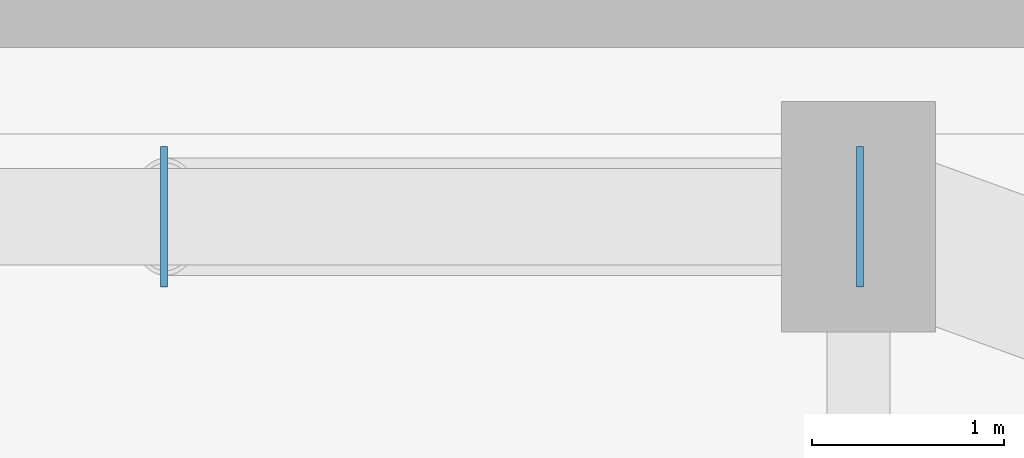
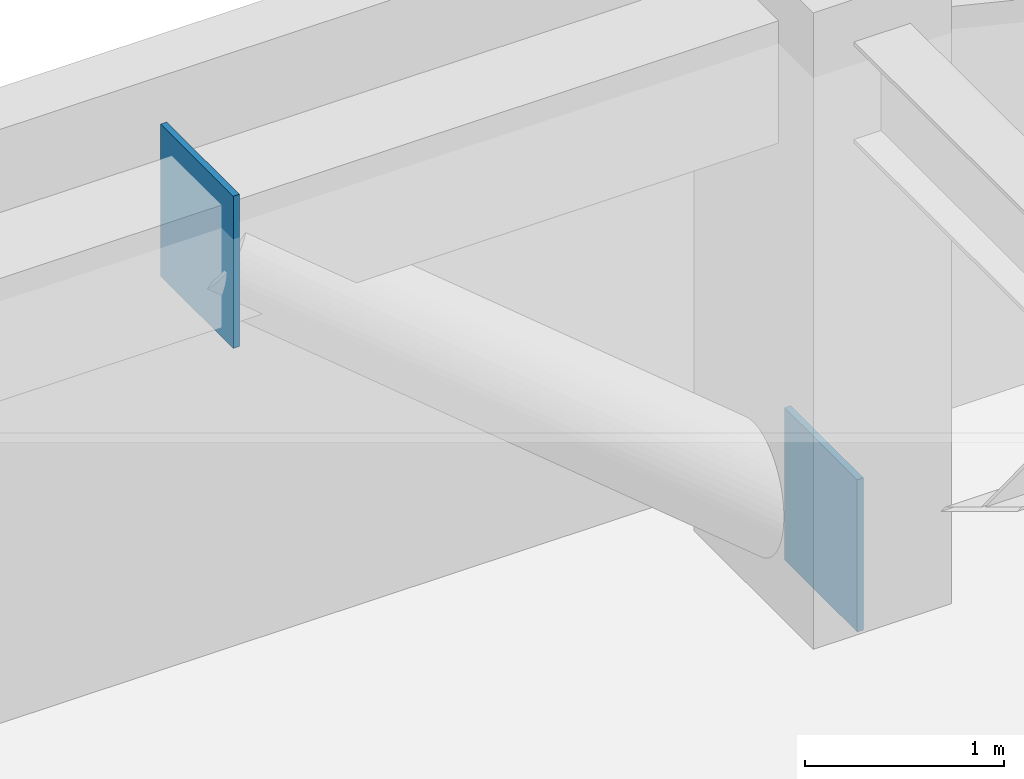
# One storey, part 17 of 24: 2 plates.
"""IFC4 building model written with IfcOpenShell, lengths in metres."""

from ifc_helpers import new_model, si_unit, direction, frame, origin, origin_2d, place, context, subcontext, project, spatial, rectangle, extrude, material, layer, layer_set, type_object, element, save


model = new_model("IFC4")

# Units and contexts
model_context = context("Model", 3, precision=1e-05, world=origin(), true_north=direction((0.0, 1.0)))
body_context = subcontext(model_context, "Body", "Model", "MODEL_VIEW")
ifc_project = project(units=[si_unit("LENGTHUNIT", "METRE"), si_unit("AREAUNIT", "SQUARE_METRE"), si_unit("VOLUMEUNIT", "CUBIC_METRE"), si_unit("PLANEANGLEUNIT", "RADIAN"), si_unit("MASSUNIT", "GRAM", prefix="KILO")], contexts=[model_context])

# Site, building, storey
site_placement = place(None, origin())
site = spatial("IfcSite", under=ifc_project, at=site_placement, CompositionType="ELEMENT")
building_placement = place(site_placement, origin())
building = spatial("IfcBuilding", under=site, at=building_placement, Name="Kiyonajd Concourse Tower", CompositionType="ELEMENT")
storey_placement = place(building_placement, frame((0.0, 0.0, 109.199951171875)))
storey = spatial("IfcBuildingStorey", under=building, at=storey_placement, Name="L28", CompositionType="ELEMENT", Elevation=109.199951171875)

# Plates
ifc_material = material(Name="Steel ASTM A572 Grade 50", Category="steel")
ifc_layer = layer(ifc_material, 0.028076171875)
ifc_layer_set = layer_set([ifc_layer], Name="Steel ASTM A572 Grade 50")
plate_type = type_object("IfcPlateType", Name="PL-CAP-450", PredefinedType="USERDEFINED", material=ifc_layer_set)
for number, where, z_axis, x_axis, name in (
    (1, (63.6083984375, 61.199951171875, -0.173583984375), (0.0, 0.0, 1.0), (1.0, 0.0, 0.0), "L28 Hollow Brace End Cap Plate PBN"),
    (2, (59.991455078125, 61.199951171875, 2.83056640625), (0.0, 0.0, 1.0), (-1.0, 0.0, 0.0), "L28 Hollow Brace Top Cap Plate PBN"),
):
    element("IfcPlate", number, at=place(storey_placement, frame(where, z_axis=z_axis, x_axis=x_axis)), inside=storey, type_object=plate_type, Name=name, ObjectType="CAP PLATE", PredefinedType="USERDEFINED", context=body_context, shape_type="SweptSolid", body=[
        extrude(rectangle(XDim=0.035888671875, YDim=0.72998046875, at=origin_2d()), origin(), (0.0, 0.0, 1.0), 0.93310546875),
    ])

save(model, "model.ifc")
